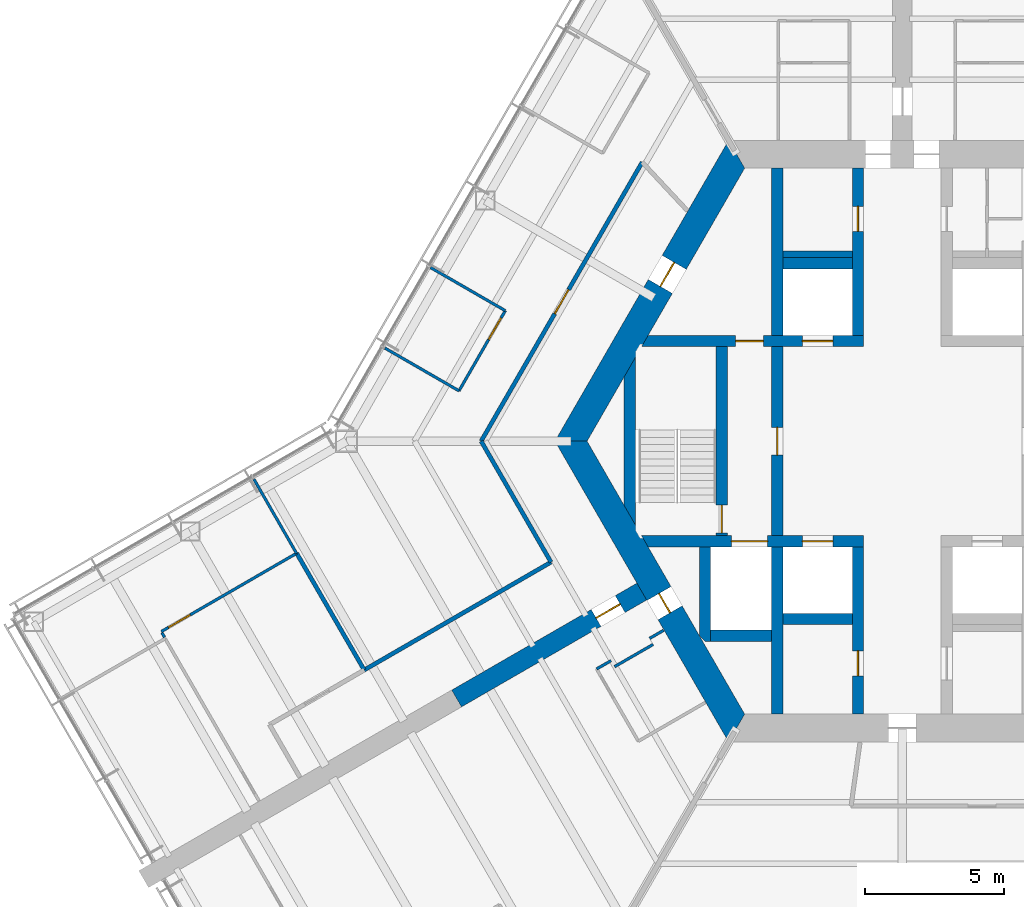
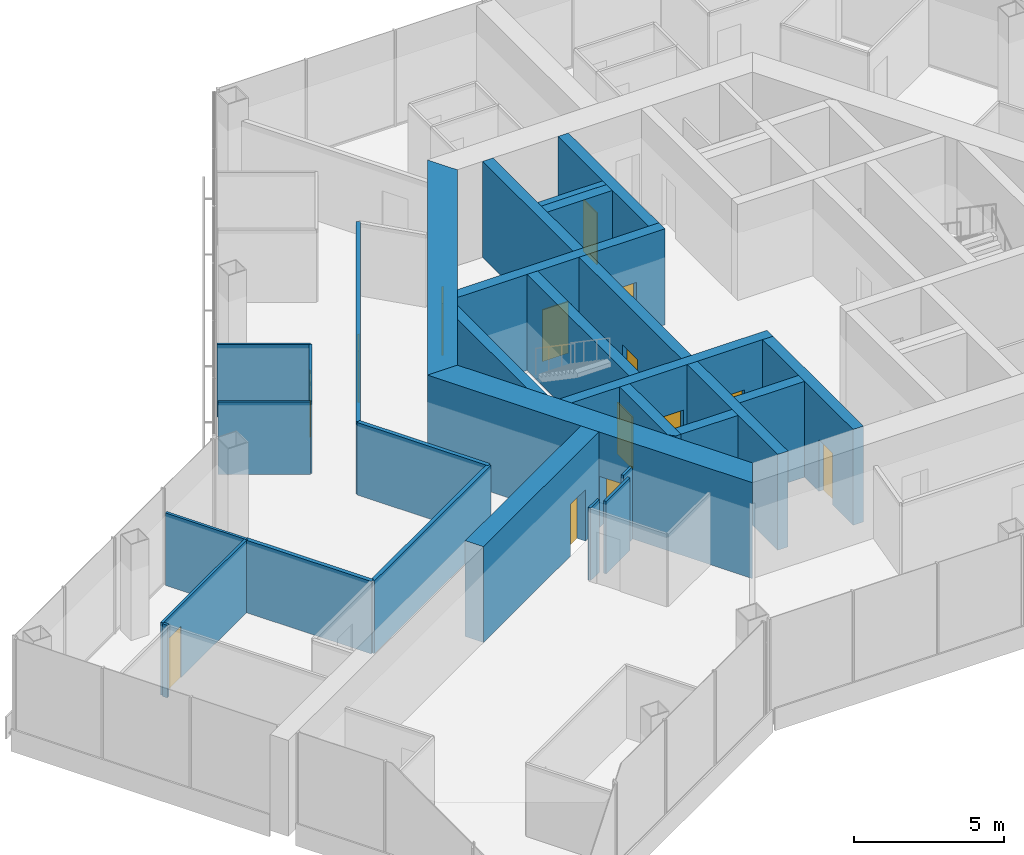
# One storey, part 12 of 18: 30 walls, 14 doors, 14 openings.
"""IFC4 building model written with IfcOpenShell, lengths in metres."""

from ifc_helpers import new_model, si_unit, direction, frame, frame_2d, origin, place, context, subcontext, project, spatial, polyline, rectangle, outline, extrude, material, layer, layer_set, type_object, element, fill, save


model = new_model("IFC4")

# Units and contexts
model_context = context("Model", 3, precision=1e-05, world=origin(), true_north=direction((0.0, 1.0)))
body_context = subcontext(model_context, "Body", "Model", "MODEL_VIEW")
ifc_project = project(units=[si_unit("LENGTHUNIT", "METRE"), si_unit("AREAUNIT", "SQUARE_METRE"), si_unit("VOLUMEUNIT", "CUBIC_METRE"), si_unit("PLANEANGLEUNIT", "RADIAN"), si_unit("MASSUNIT", "GRAM", prefix="KILO")], contexts=[model_context])

# Site, building, storey
site_placement = place(None, origin())
site = spatial("IfcSite", under=ifc_project, at=site_placement, CompositionType="ELEMENT")
building_placement = place(site_placement, origin())
building = spatial("IfcBuilding", under=site, at=building_placement, Name="Kasaneha Research Tower", CompositionType="ELEMENT")
storey_placement = place(building_placement, frame((0.0, 0.0, 152.60009765625)))
storey = spatial("IfcBuildingStorey", under=building, at=storey_placement, Name="L38", CompositionType="ELEMENT", Elevation=152.60009765625)

# Wall, openings, doors
ifc_material_1 = material(Name="Concrete Fc70", Category="concrete")
ifc_layer_1 = layer(ifc_material_1, 0.39990234375)
ifc_layer_set_1 = layer_set([ifc_layer_1], Name="Core internal wall 400 Fc70")
wall_type_1 = type_object("IfcWallType", Name="Core internal wall 400 Fc70", PredefinedType="SHEAR", material=ifc_layer_set_1)
wall_1_placement = place(storey_placement, frame((-9.266357421875, 3.60009765625, 0.0), z_axis=(0.0, 0.0, 1.0), x_axis=(1.0, 0.0, 0.0)))
wall_1 = element("IfcWall", 1, at=wall_1_placement, inside=storey, type_object=wall_type_1, Name="Core wall W1W L38", PredefinedType="SHEAR", context=body_context, shape_type="SweptSolid", body=[
    extrude(outline(polyline([(-0.115478515625, -0.199951171875), (3.266357421875, -0.199951171875), (4.266357421875, -0.199951171875), (5.66650390625, -0.199951171875), (6.7666015625, -0.199951171875), (7.866455078125, -0.199951171875), (7.866455078125, 0.199951171875), (6.7666015625, 0.199951171875), (5.66650390625, 0.199951171875), (4.266357421875, 0.199951171875), (3.266357421875, 0.199951171875), (0.115478515625, 0.199951171875), (-0.115478515625, -0.199951171875)])), origin(), (0.0, 0.0, 1.0), 3.89990234375),
])
opening_1_placement = place(wall_1_placement, frame((3.266357421875, 0.0, 0.0)))
opening_1 = element("IfcOpeningElement", 2, at=opening_1_placement, cuts=wall_1, Name="Opening L38-D12", PredefinedType="OPENING", context=body_context, shape_type="SweptSolid", body=[
    extrude(rectangle(XDim=1.0, YDim=2.10009765625, at=frame_2d((0.5, 1.050048828125))), frame((0.0, 0.2099609375, 0.0), z_axis=(0.0, -1.0, 0.0), x_axis=(1.0, 0.0, 0.0)), (0.0, 0.0, 1.0), 0.419921875),
])
opening_2_placement = place(wall_1_placement, frame((5.66650390625, 0.0, 0.0)))
opening_2 = element("IfcOpeningElement", 3, at=opening_2_placement, cuts=wall_1, Name="Opening LD-LM1-L38", PredefinedType="OPENING", context=body_context, shape_type="SweptSolid", body=[
    extrude(rectangle(XDim=1.10009765625, YDim=2.10009765625, at=frame_2d((0.550048828125, 1.050048828125))), frame((0.0, 0.2099609375, 0.0), z_axis=(0.0, -1.0, 0.0), x_axis=(1.0, 0.0, 0.0)), (0.0, 0.0, 1.0), 0.419921875),
])
ifc_material_2 = material(Name="Steel", Category="steel")
door_type_1 = type_object("IfcDoorType", Name="Lift landing door 1100x2100", OperationType="DOUBLE_DOOR_SLIDING", PredefinedType="DOOR", material=ifc_material_2)
door_1_placement = place(opening_2_placement, origin())
door_1 = element("IfcDoor", 4, at=door_1_placement, inside=storey, type_object=door_type_1, Name="Landing door LM1 LD-LM1-L38", OperationType="DOUBLE_DOOR_SLIDING", OverallHeight=2.10009765625, OverallWidth=1.10009765625, PredefinedType="DOOR", context=body_context, shape_type="SweptSolid", body=[
    extrude(rectangle(XDim=1.10009765625, YDim=2.10009765625, at=frame_2d((0.550048828125, 1.050048828125))), frame((0.0, 0.02490234375, 0.0), z_axis=(0.0, -1.0, 0.0), x_axis=(1.0, 0.0, 0.0)), (0.0, 0.0, 1.0), 0.050048828125),
])
fill(opening_2, door_1)
ifc_material_3 = material(Name="Steel", Category="steel")
door_type_2 = type_object("IfcDoorType", Name="Specified fire door FD60 1000x2100", OperationType="NOTDEFINED", PredefinedType="DOOR", material=ifc_material_3)
door_2_placement = place(opening_1_placement, origin())
door_2 = element("IfcDoor", 5, at=door_2_placement, inside=storey, type_object=door_type_2, Name="Vestibule to lobby door L38-D12", OperationType="SINGLE_SWING_LEFT", OverallHeight=2.10009765625, OverallWidth=1.0, PredefinedType="DOOR", context=body_context, shape_type="SweptSolid", body=[
    extrude(rectangle(XDim=1.0, YDim=2.10009765625, at=frame_2d((0.5, 1.050048828125))), frame((0.0, 0.02490234375, 0.0), z_axis=(0.0, -1.0, 0.0), x_axis=(1.0, 0.0, 0.0)), (0.0, 0.0, 1.0), 0.050048828125),
])
fill(opening_1, door_2)

wall_2_placement = place(storey_placement, frame((-9.266357421875, -3.60009765625, 0.0), z_axis=(0.0, 0.0, 1.0), x_axis=(1.0, 0.0, 0.0)))
wall_2 = element("IfcWall", 6, at=wall_2_placement, inside=storey, type_object=wall_type_1, Name="Core wall W2W L38", PredefinedType="SHEAR", context=body_context, shape_type="SweptSolid", body=[
    extrude(outline(polyline([(0.115478515625, -0.199951171875), (3.116455078125, -0.199951171875), (4.41650390625, -0.199951171875), (5.66650390625, -0.199951171875), (6.7666015625, -0.199951171875), (7.866455078125, -0.199951171875), (7.866455078125, 0.199951171875), (6.7666015625, 0.199951171875), (5.66650390625, 0.199951171875), (4.41650390625, 0.199951171875), (3.116455078125, 0.199951171875), (-0.115478515625, 0.199951171875), (0.115478515625, -0.199951171875)])), origin(), (0.0, 0.0, 1.0), 3.89990234375),
])
opening_3_placement = place(wall_2_placement, frame((5.66650390625, 0.0, 0.0)))
opening_3 = element("IfcOpeningElement", 7, at=opening_3_placement, cuts=wall_2, Name="Opening LD-LM3-L38", PredefinedType="OPENING", context=body_context, shape_type="SweptSolid", body=[
    extrude(rectangle(XDim=1.10009765625, YDim=2.10009765625, at=frame_2d((0.550048828125, 1.050048828125))), frame((0.0, 0.2099609375, 0.0), z_axis=(0.0, -1.0, 0.0), x_axis=(1.0, 0.0, 0.0)), (0.0, 0.0, 1.0), 0.419921875),
])
opening_4_placement = place(wall_2_placement, frame((3.116455078125, 0.0, 0.0)))
opening_4 = element("IfcOpeningElement", 8, at=opening_4_placement, cuts=wall_2, Name="Opening LD-FL2-L38", PredefinedType="OPENING", context=body_context, shape_type="SweptSolid", body=[
    extrude(rectangle(XDim=1.300048828125, YDim=2.10009765625, at=frame_2d((0.64990234375, 1.050048828125))), frame((0.0, 0.2099609375, 0.0), z_axis=(0.0, -1.0, 0.0), x_axis=(1.0, 0.0, 0.0)), (0.0, 0.0, 1.0), 0.419921875),
])
door_3_placement = place(opening_3_placement, origin())
door_3 = element("IfcDoor", 9, at=door_3_placement, inside=storey, type_object=door_type_1, Name="Landing door LM3 LD-LM3-L38", OperationType="DOUBLE_DOOR_SLIDING", OverallHeight=2.10009765625, OverallWidth=1.10009765625, PredefinedType="DOOR", context=body_context, shape_type="SweptSolid", body=[
    extrude(rectangle(XDim=1.10009765625, YDim=2.10009765625, at=frame_2d((0.550048828125, 1.050048828125))), frame((0.0, 0.02490234375, 0.0), z_axis=(0.0, -1.0, 0.0), x_axis=(1.0, 0.0, 0.0)), (0.0, 0.0, 1.0), 0.050048828125),
])
fill(opening_3, door_3)
ifc_material_4 = material(Name="Steel", Category="steel")
door_type_3 = type_object("IfcDoorType", Name="Lift landing door 1300x2100", OperationType="DOUBLE_DOOR_SLIDING", PredefinedType="DOOR", material=ifc_material_4)
door_4_placement = place(opening_4_placement, origin())
door_4 = element("IfcDoor", 10, at=door_4_placement, inside=storey, type_object=door_type_3, Name="Landing door FL2 LD-FL2-L38", OperationType="DOUBLE_DOOR_SLIDING", OverallHeight=2.10009765625, OverallWidth=1.300048828125, PredefinedType="DOOR", context=body_context, shape_type="SweptSolid", body=[
    extrude(rectangle(XDim=1.300048828125, YDim=2.10009765625, at=frame_2d((0.64990234375, 1.050048828125))), frame((0.0, 0.02490234375, 0.0), z_axis=(0.0, -1.0, 0.0), x_axis=(1.0, 0.0, 0.0)), (0.0, 0.0, 1.0), 0.050048828125),
])
fill(opening_4, door_4)

# Wall, opening, door
wall_3_placement = place(storey_placement, frame((-1.60009765625, 3.800048828125, 0.0), z_axis=(0.0, 0.0, 1.0), x_axis=(0.0, 1.0, 0.0)))
wall_3 = element("IfcWall", 11, at=wall_3_placement, inside=storey, type_object=wall_type_1, Name="Core wall CNW L38", PredefinedType="SHEAR", context=body_context, shape_type="SweptSolid", body=[
    extrude(rectangle(XDim=6.02490234375, YDim=0.39990234375, at=frame_2d((3.012451171875, 0.0))), origin(), (0.0, 0.0, 1.0), 3.89990234375),
])
opening_5_placement = place(wall_3_placement, frame((3.75, 0.0, 0.0)))
opening_5 = element("IfcOpeningElement", 12, at=opening_5_placement, cuts=wall_3, Name="Opening L38-D13", PredefinedType="OPENING", context=body_context, shape_type="SweptSolid", body=[
    extrude(rectangle(XDim=0.89990234375, YDim=2.10009765625, at=frame_2d((0.449951171875, 1.050048828125))), frame((0.0, 0.2099609375, 0.0), z_axis=(0.0, -1.0, 0.0), x_axis=(1.0, 0.0, 0.0)), (0.0, 0.0, 1.0), 0.419921875),
])
ifc_material_5 = material(Name="Steel", Category="steel")
door_type_4 = type_object("IfcDoorType", Name="Toilet door FD20 900x2100", OperationType="NOTDEFINED", PredefinedType="DOOR", material=ifc_material_5)
door_5_placement = place(opening_5_placement, origin())
door_5 = element("IfcDoor", 13, at=door_5_placement, inside=storey, type_object=door_type_4, Name="Men's WC door L38-D13", OperationType="SINGLE_SWING_LEFT", OverallHeight=2.10009765625, OverallWidth=0.89990234375, PredefinedType="DOOR", context=body_context, shape_type="SweptSolid", body=[
    extrude(rectangle(XDim=0.89990234375, YDim=2.10009765625, at=frame_2d((0.449951171875, 1.050048828125))), frame((0.0, 0.02490234375, 0.0), z_axis=(0.0, -1.0, 0.0), x_axis=(1.0, 0.0, 0.0)), (0.0, 0.0, 1.0), 0.050048828125),
])
fill(opening_5, door_5)

wall_4_placement = place(storey_placement, frame((-1.60009765625, -3.800048828125, 0.0), z_axis=(0.0, 0.0, 1.0), x_axis=(0.0, -1.0, 0.0)))
wall_4 = element("IfcWall", 14, at=wall_4_placement, inside=storey, type_object=wall_type_1, Name="Core wall CSW L38", PredefinedType="SHEAR", context=body_context, shape_type="SweptSolid", body=[
    extrude(rectangle(XDim=6.02490234375, YDim=0.39990234375, at=frame_2d((3.012451171875, 0.0))), origin(), (0.0, 0.0, 1.0), 3.89990234375),
])
opening_6_placement = place(wall_4_placement, frame((3.75, 0.0, 0.0)))
opening_6 = element("IfcOpeningElement", 15, at=opening_6_placement, cuts=wall_4, Name="Opening L38-D16", PredefinedType="OPENING", context=body_context, shape_type="SweptSolid", body=[
    extrude(rectangle(XDim=0.89990234375, YDim=2.10009765625, at=frame_2d((0.449951171875, 1.050048828125))), frame((0.0, 0.2099609375, 0.0), z_axis=(0.0, -1.0, 0.0), x_axis=(1.0, 0.0, 0.0)), (0.0, 0.0, 1.0), 0.419921875),
])
ifc_material_6 = material(Name="Steel", Category="steel")
door_type_5 = type_object("IfcDoorType", Name="Riser access door FD60 900x2100", OperationType="NOTDEFINED", PredefinedType="DOOR", material=ifc_material_6)
door_6_placement = place(opening_6_placement, origin())
door_6 = element("IfcDoor", 16, at=door_6_placement, inside=storey, type_object=door_type_5, Name="Electrical riser door L38-D16", OperationType="SINGLE_SWING_LEFT", OverallHeight=2.10009765625, OverallWidth=0.89990234375, PredefinedType="DOOR", context=body_context, shape_type="SweptSolid", body=[
    extrude(rectangle(XDim=0.89990234375, YDim=2.10009765625, at=frame_2d((0.449951171875, 1.050048828125))), frame((0.0, 0.02490234375, 0.0), z_axis=(0.0, -1.0, 0.0), x_axis=(1.0, 0.0, 0.0)), (0.0, 0.0, 1.0), 0.050048828125),
])
fill(opening_6, door_6)

wall_5_placement = place(storey_placement, frame((-4.5, -3.39990234375, 0.0), z_axis=(0.0, 0.0, 1.0), x_axis=(0.0, 1.0, 0.0)))
wall_5 = element("IfcWall", 17, at=wall_5_placement, inside=storey, type_object=wall_type_1, Name="Core wall LBW L38", PredefinedType="SHEAR", context=body_context, shape_type="SweptSolid", body=[
    extrude(rectangle(XDim=6.7998046875, YDim=0.39990234375, at=frame_2d((3.39990234375, 0.0))), origin(), (0.0, 0.0, 1.0), 3.89990234375),
])
opening_7_placement = place(wall_5_placement, frame((2.89990234375, 0.0, 0.0)))
opening_7 = element("IfcOpeningElement", 18, at=opening_7_placement, cuts=wall_5, Name="Opening L38-D09", PredefinedType="OPENING", context=body_context, shape_type="SweptSolid", body=[
    extrude(rectangle(XDim=1.0, YDim=2.10009765625, at=frame_2d((0.5, 1.050048828125))), frame((0.0, 0.2099609375, 0.0), z_axis=(0.0, -1.0, 0.0), x_axis=(1.0, 0.0, 0.0)), (0.0, 0.0, 1.0), 0.419921875),
])
door_7_placement = place(opening_7_placement, origin())
door_7 = element("IfcDoor", 19, at=door_7_placement, inside=storey, type_object=door_type_2, Name="Lift lobby door west L38-D09", OperationType="SINGLE_SWING_LEFT", OverallHeight=2.10009765625, OverallWidth=1.0, PredefinedType="DOOR", context=body_context, shape_type="SweptSolid", body=[
    extrude(rectangle(XDim=1.0, YDim=2.10009765625, at=frame_2d((0.5, 1.050048828125))), frame((0.0, 0.02490234375, 0.0), z_axis=(0.0, -1.0, 0.0), x_axis=(1.0, 0.0, 0.0)), (0.0, 0.0, 1.0), 0.050048828125),
])
fill(opening_7, door_7)

wall_6_placement = place(storey_placement, frame((-6.5, -3.39990234375, 0.0), z_axis=(0.0, 0.0, 1.0), x_axis=(0.0, 1.0, 0.0)))
wall_6 = element("IfcWall", 20, at=wall_6_placement, inside=storey, type_object=wall_type_1, Name="Core wall ANW L38", PredefinedType="SHEAR", context=body_context, shape_type="SweptSolid", body=[
    extrude(rectangle(XDim=6.7998046875, YDim=0.39990234375, at=frame_2d((3.39990234375, 0.0))), origin(), (0.0, 0.0, 1.0), 3.89990234375),
])
opening_8_placement = place(wall_6_placement, frame((0.10009765625, 0.0, 0.0)))
opening_8 = element("IfcOpeningElement", 21, at=opening_8_placement, cuts=wall_6, Name="Opening L38-D11", PredefinedType="OPENING", context=body_context, shape_type="SweptSolid", body=[
    extrude(rectangle(XDim=1.0, YDim=2.10009765625, at=frame_2d((0.5, 1.050048828125))), frame((0.0, 0.2099609375, 0.0), z_axis=(0.0, -1.0, 0.0), x_axis=(1.0, 0.0, 0.0)), (0.0, 0.0, 1.0), 0.419921875),
])
door_8_placement = place(opening_8_placement, origin())
door_8 = element("IfcDoor", 22, at=door_8_placement, inside=storey, type_object=door_type_2, Name="Stair 2 door L38-D11", OperationType="SINGLE_SWING_LEFT", OverallHeight=2.10009765625, OverallWidth=1.0, PredefinedType="DOOR", context=body_context, shape_type="SweptSolid", body=[
    extrude(rectangle(XDim=1.0, YDim=2.10009765625, at=frame_2d((0.5, 1.050048828125))), frame((0.0, 0.02490234375, 0.0), z_axis=(0.0, -1.0, 0.0), x_axis=(1.0, 0.0, 0.0)), (0.0, 0.0, 1.0), 0.050048828125),
])
fill(opening_8, door_8)

# Walls
for number, where, z_axis, x_axis, name in (
    (23, (-4.5, 3.800048828125, 0.0), (0.0, 0.0, 1.0), (0.0, 1.0, 0.0), "Core wall VNW L38"),
    (24, (-4.5, -3.800048828125, 0.0), (0.0, 0.0, 1.0), (0.0, -1.0, 0.0), "Core wall SSW L38"),
):
    element("IfcWall", number, at=place(storey_placement, frame(where, z_axis=z_axis, x_axis=x_axis)), inside=storey, type_object=wall_type_1, Name=name, PredefinedType="SHEAR", context=body_context, shape_type="SweptSolid", body=[
        extrude(rectangle(XDim=6.02490234375, YDim=0.39990234375, at=frame_2d((3.012451171875, 0.0))), origin(), (0.0, 0.0, 1.0), 3.89990234375),
    ])
for number, where, z_axis, x_axis, name in (
    (25, (-4.300048828125, 6.39990234375, 0.0), (0.0, 0.0, 1.0), (1.0, 0.0, 0.0), "Core wall N1N L38"),
    (26, (-4.300048828125, -6.39990234375, 0.0), (0.0, 0.0, 1.0), (1.0, 0.0, 0.0), "Core wall S1S L38"),
):
    element("IfcWall", number, at=place(storey_placement, frame(where, z_axis=z_axis, x_axis=x_axis)), inside=storey, type_object=wall_type_1, Name=name, PredefinedType="SHEAR", context=body_context, shape_type="SweptSolid", body=[
        extrude(rectangle(XDim=2.5, YDim=0.39990234375, at=frame_2d((1.25, 0.0))), origin(), (0.0, 0.0, 1.0), 3.89990234375),
    ])
wall_7_placement = place(storey_placement, frame((-6.89990234375, -7.0, 0.0), z_axis=(0.0, 0.0, 1.0), x_axis=(1.0, 0.0, 0.0)))
element("IfcWall", 27, at=wall_7_placement, inside=storey, type_object=wall_type_1, Name="Core wall F2S L38", PredefinedType="SHEAR", context=body_context, shape_type="SweptSolid", body=[
    extrude(rectangle(XDim=2.199951171875, YDim=0.39990234375, at=frame_2d((1.10009765625, 0.0))), origin(), (0.0, 0.0, 1.0), 3.89990234375),
])
wall_8_placement = place(storey_placement, frame((-7.10009765625, -3.800048828125, 0.0), z_axis=(0.0, 0.0, 1.0), x_axis=(0.0, -1.0, 0.0)))
element("IfcWall", 28, at=wall_8_placement, inside=storey, type_object=wall_type_1, Name="Core wall F2W L38", PredefinedType="SHEAR", context=body_context, shape_type="SweptSolid", body=[
    extrude(outline(polyline([(0.0, -0.199951171875), (3.205810546875, -0.199951171875), (3.39990234375, 0.0), (3.39990234375, 0.199951171875), (0.0, 0.199951171875), (0.0, -0.199951171875)])), origin(), (0.0, 0.0, 1.0), 3.89990234375),
])
wall_9_placement = place(storey_placement, frame((-9.807861328125, -2.662353515625, 0.0), z_axis=(0.0, 0.0, 1.0), x_axis=(0.0, 1.0, 0.0)))
element("IfcWall", 29, at=wall_9_placement, inside=storey, type_object=wall_type_1, Name="Core wall STW L38", PredefinedType="SHEAR", context=body_context, shape_type="SweptSolid", body=[
    extrude(outline(polyline([(-0.346435546875, -0.199951171875), (5.671142578125, -0.199951171875), (4.978271484375, 0.199951171875), (0.346435546875, 0.199951171875), (-0.346435546875, -0.199951171875)])), origin(), (0.0, 0.0, 1.0), 3.89990234375),
])

# Wall, opening, door
ifc_material_7 = material(Name="Concrete Fc70", Category="concrete")
ifc_layer_2 = layer(ifc_material_7, 1.0)
ifc_layer_set_2 = layer_set([ifc_layer_2], Name="Core wall 1000 Fc70")
wall_type_2 = type_object("IfcWallType", Name="Core wall 1000 Fc70", PredefinedType="SHEAR", material=ifc_layer_set_2)
wall_10_placement = place(storey_placement, frame((-5.961181640625, 10.324951171875, 0.0), z_axis=(0.0, 0.0, 1.0), x_axis=(-0.500004296715, -0.866022923061, 0.0)))
wall_10 = element("IfcWall", 30, at=wall_10_placement, inside=storey, type_object=wall_type_2, Name="Core wall 150 L38", PredefinedType="SHEAR", context=body_context, shape_type="SweptSolid", body=[
    extrude(outline(polyline([(-0.28857421875, -0.5), (4.494140625, -0.5), (5.494140625, -0.5), (12.2109375, -0.5), (11.6337890625, 0.5), (5.494140625, 0.5), (4.494140625, 0.5), (0.28857421875, 0.5), (-0.28857421875, -0.5)])), origin(), (0.0, 0.0, 1.0), 3.89990234375),
])
opening_9_placement = place(wall_10_placement, frame((4.494140625, 0.0, 0.0)))
opening_9 = element("IfcOpeningElement", 31, at=opening_9_placement, cuts=wall_10, Name="Opening L38-D07", PredefinedType="OPENING", context=body_context, shape_type="SweptSolid", body=[
    extrude(rectangle(XDim=1.0, YDim=2.10009765625, at=frame_2d((0.5, 1.050048828125))), frame((0.0, 0.510009765625, 0.0), z_axis=(0.0, -1.0, 0.0), x_axis=(1.0, 0.0, 0.0)), (0.0, 0.0, 1.0), 1.02001953125),
])
ifc_material_8 = material(Name="Steel", Category="steel")
door_type_6 = type_object("IfcDoorType", Name="Fire door FD20 1000x2100", OperationType="NOTDEFINED", PredefinedType="DOOR", material=ifc_material_8)
door_9_placement = place(opening_9_placement, origin())
door_9 = element("IfcDoor", 32, at=door_9_placement, inside=storey, type_object=door_type_6, Name="Vestibule door L38-D07", OperationType="SINGLE_SWING_LEFT", OverallHeight=2.10009765625, OverallWidth=1.0, PredefinedType="DOOR", context=body_context, shape_type="SweptSolid", body=[
    extrude(rectangle(XDim=1.0, YDim=2.10009765625, at=frame_2d((0.5, 1.050048828125))), frame((0.0, 0.02490234375, 0.0), z_axis=(0.0, -1.0, 0.0), x_axis=(1.0, 0.0, 0.0)), (0.0, 0.0, 1.0), 0.050048828125),
])
fill(opening_9, door_9)

wall_11_placement = place(storey_placement, frame((-11.92236328125, 0.0, 0.0), z_axis=(0.0, 0.0, 1.0), x_axis=(0.500004296715, -0.866022923061, 0.0)))
wall_11 = element("IfcWall", 33, at=wall_11_placement, inside=storey, type_object=wall_type_2, Name="Core wall 210 L38", PredefinedType="SHEAR", context=body_context, shape_type="SweptSolid", body=[
    extrude(outline(polyline([(-0.28857421875, -0.5), (6.3310546875, -0.5), (7.131103515625, -0.5), (12.2109375, -0.5), (11.6337890625, 0.5), (7.131103515625, 0.5), (6.3310546875, 0.5), (0.28857421875, 0.5), (-0.28857421875, -0.5)])), origin(), (0.0, 0.0, 1.0), 3.89990234375),
])
opening_10_placement = place(wall_11_placement, frame((6.3310546875, 0.0, 0.0)))
opening_10 = element("IfcOpeningElement", 34, at=opening_10_placement, cuts=wall_11, Name="Opening L38-D06", PredefinedType="OPENING", context=body_context, shape_type="SweptSolid", body=[
    extrude(rectangle(XDim=0.800048828125, YDim=2.10009765625, at=frame_2d((0.39990234375, 1.050048828125))), frame((0.0, 0.510009765625, 0.0), z_axis=(0.0, -1.0, 0.0), x_axis=(1.0, 0.0, 0.0)), (0.0, 0.0, 1.0), 1.02001953125),
])
ifc_material_9 = material(Name="Steel", Category="steel")
door_type_7 = type_object("IfcDoorType", Name="Riser access door FD60 800x2100", OperationType="NOTDEFINED", PredefinedType="DOOR", material=ifc_material_9)
door_10_placement = place(opening_10_placement, origin())
door_10 = element("IfcDoor", 35, at=door_10_placement, inside=storey, type_object=door_type_7, Name="Duct riser door L38-D06", OperationType="SINGLE_SWING_RIGHT", OverallHeight=2.10009765625, OverallWidth=0.800048828125, PredefinedType="DOOR", context=body_context, shape_type="SweptSolid", body=[
    extrude(rectangle(XDim=0.800048828125, YDim=2.10009765625, at=frame_2d((0.39990234375, 1.050048828125))), frame((0.0, 0.02490234375, 0.0), z_axis=(0.0, -1.0, 0.0), x_axis=(1.0, 0.0, 0.0)), (0.0, 0.0, 1.0), 0.050048828125),
])
fill(opening_10, door_10)

# Walls
ifc_material_10 = material(Name="Gypsum board on steel studs, one layer each side", Category="steel")
ifc_layer_3 = layer(ifc_material_10, 0.10009765625)
ifc_layer_set_3 = layer_set([ifc_layer_3], Name="Office partition 100")
wall_type_3 = type_object("IfcWallType", Name="Office partition 100", PredefinedType="PARTITIONING", material=ifc_layer_set_3)
wall_12_placement = place(storey_placement, frame((-16.97607421875, 6.247802734375, 0.0), z_axis=(0.0, 0.0, 1.0), x_axis=(0.866023220135, -0.500003782172, 0.0)))
element("IfcWall", 36, at=wall_12_placement, inside=storey, type_object=wall_type_3, Name="Office partition FBN12 L38", PredefinedType="PARTITIONING", context=body_context, shape_type="SweptSolid", body=[
    extrude(rectangle(XDim=3.10498046875, YDim=0.10009765625, at=frame_2d((1.552490234375, 0.0))), origin(), (0.0, 0.0, 1.0), 2.949951171875),
])
wall_13_placement = place(storey_placement, frame((-15.952392578125, 1.810546875, 0.0), z_axis=(0.0, 0.0, 1.0), x_axis=(-0.866029832698, 0.499992328818, 0.0)))
element("IfcWall", 37, at=wall_13_placement, inside=storey, type_object=wall_type_3, Name="Office partition FBN13 L38", PredefinedType="PARTITIONING", context=body_context, shape_type="SweptSolid", body=[
    extrude(rectangle(XDim=3.080078125, YDim=0.10009765625, at=frame_2d((1.5400390625, 0.0))), origin(), (0.0, 0.0, 1.0), 2.949951171875),
])

# Wall, opening, door
wall_14_placement = place(storey_placement, frame((-14.287109375, 4.6953125, 0.0), z_axis=(0.0, 0.0, 1.0), x_axis=(-0.499946633866, -0.866056212544, 0.0)))
wall_14 = element("IfcWall", 38, at=wall_14_placement, inside=storey, type_object=wall_type_3, Name="Office partition FBN14 L38", PredefinedType="PARTITIONING", context=body_context, shape_type="SweptSolid", body=[
    extrude(rectangle(XDim=3.330810546875, YDim=0.10009765625, at=frame_2d((1.66552734375, 0.0))), origin(), (0.0, 0.0, 1.0), 2.949951171875),
])
opening_11_placement = place(wall_14_placement, frame((0.300048828125, 0.0, 0.0)))
opening_11 = element("IfcOpeningElement", 39, at=opening_11_placement, cuts=wall_14, Name="Opening L38-D38", PredefinedType="OPENING", context=body_context, shape_type="SweptSolid", body=[
    extrude(rectangle(XDim=0.89990234375, YDim=2.10009765625, at=frame_2d((0.449951171875, 1.050048828125))), frame((0.0, 0.06005859375, 0.0), z_axis=(0.0, -1.0, 0.0), x_axis=(1.0, 0.0, 0.0)), (0.0, 0.0, 1.0), 0.1201171875),
])
ifc_material_11 = material(Name="Timber veneer", Category="wood")
door_type_8 = type_object("IfcDoorType", Name="Office door 900x2100", OperationType="SINGLE_SWING_LEFT", PredefinedType="DOOR", material=ifc_material_11)
door_11_placement = place(opening_11_placement, origin())
door_11 = element("IfcDoor", 40, at=door_11_placement, inside=storey, type_object=door_type_8, Name="Workroom door L38-D38", OperationType="SINGLE_SWING_LEFT", OverallHeight=2.10009765625, OverallWidth=0.89990234375, PredefinedType="DOOR", context=body_context, shape_type="SweptSolid", body=[
    extrude(rectangle(XDim=0.89990234375, YDim=2.10009765625, at=frame_2d((0.449951171875, 1.050048828125))), frame((0.0, 0.02490234375, 0.0), z_axis=(0.0, -1.0, 0.0), x_axis=(1.0, 0.0, 0.0)), (0.0, 0.0, 1.0), 0.050048828125),
])
fill(opening_11, door_11)

# Wall
wall_15_placement = place(storey_placement, frame((-23.332275390625, -1.36962890625, 0.0), z_axis=(0.0, 0.0, 1.0), x_axis=(0.498722739085, -0.866761575937, 0.0)))
element("IfcWall", 41, at=wall_15_placement, inside=storey, type_object=wall_type_3, Name="Office partition FBN15 L38", PredefinedType="PARTITIONING", context=body_context, shape_type="SweptSolid", body=[
    extrude(rectangle(XDim=3.08056640625, YDim=0.10009765625, at=frame_2d((1.540283203125, 0.0))), origin(), (0.0, 0.0, 1.0), 2.949951171875),
])

# Wall, opening, door
wall_16_placement = place(storey_placement, frame((-21.793701171875, -4.033203125, 0.0), z_axis=(0.0, 0.0, 1.0), x_axis=(-0.865577688484, -0.500774665092, 0.0)))
wall_16 = element("IfcWall", 42, at=wall_16_placement, inside=storey, type_object=wall_type_3, Name="Office partition FBN16 L38", PredefinedType="PARTITIONING", context=body_context, shape_type="SweptSolid", body=[
    extrude(rectangle(XDim=5.62890625, YDim=0.10009765625, at=frame_2d((2.814453125, 0.0))), origin(), (0.0, 0.0, 1.0), 2.949951171875),
])
opening_12_placement = place(wall_16_placement, frame((4.428955078125, 0.0, 0.0)))
opening_12 = element("IfcOpeningElement", 43, at=opening_12_placement, cuts=wall_16, Name="Opening L38-D39", PredefinedType="OPENING", context=body_context, shape_type="SweptSolid", body=[
    extrude(rectangle(XDim=0.89990234375, YDim=2.10009765625, at=frame_2d((0.449951171875, 1.050048828125))), frame((0.0, 0.06005859375, 0.0), z_axis=(0.0, -1.0, 0.0), x_axis=(1.0, 0.0, 0.0)), (0.0, 0.0, 1.0), 0.1201171875),
])
door_12_placement = place(opening_12_placement, origin())
door_12 = element("IfcDoor", 44, at=door_12_placement, inside=storey, type_object=door_type_8, Name="Project room door L38-D39", OperationType="SINGLE_SWING_RIGHT", OverallHeight=2.10009765625, OverallWidth=0.89990234375, PredefinedType="DOOR", context=body_context, shape_type="SweptSolid", body=[
    extrude(rectangle(XDim=0.89990234375, YDim=2.10009765625, at=frame_2d((0.449951171875, 1.050048828125))), frame((0.0, 0.02490234375, 0.0), z_axis=(0.0, -1.0, 0.0), x_axis=(1.0, 0.0, 0.0)), (0.0, 0.0, 1.0), 0.050048828125),
])
fill(opening_12, door_12)

# Walls
wall_17_placement = place(storey_placement, frame((-10.99951171875, -8.197998046875, 0.0), z_axis=(0.0, 0.0, 1.0), x_axis=(0.866131372301, 0.499816412211, 0.0)))
element("IfcWall", 45, at=wall_17_placement, inside=storey, type_object=wall_type_3, Name="Office partition FBS01 L38", PredefinedType="PARTITIONING", context=body_context, shape_type="SweptSolid", body=[
    extrude(rectangle(XDim=0.599853515625, YDim=0.10009765625, at=frame_2d((0.2998046875, 0.0))), origin(), (0.0, 0.0, 1.0), 2.949951171875),
])
wall_18_placement = place(storey_placement, frame((-10.35498046875, -8.114501953125, 0.0), z_axis=(0.0, 0.0, 1.0), x_axis=(0.866094119867, 0.499880961361, 0.0)))
element("IfcWall", 46, at=wall_18_placement, inside=storey, type_object=wall_type_3, Name="Office partition FBS02 L38", PredefinedType="PARTITIONING", context=body_context, shape_type="SweptSolid", body=[
    extrude(rectangle(XDim=1.60009765625, YDim=0.10009765625, at=frame_2d((0.800048828125, 0.0))), origin(), (0.0, 0.0, 1.0), 2.949951171875),
])
wall_19_placement = place(storey_placement, frame((-9.09423828125, -7.09814453125, 0.0), z_axis=(0.0, 0.0, 1.0), x_axis=(0.865954211699, 0.50012328804, 0.0)))
element("IfcWall", 47, at=wall_19_placement, inside=storey, type_object=wall_type_3, Name="Office partition FBS04 L38", PredefinedType="PARTITIONING", context=body_context, shape_type="SweptSolid", body=[
    extrude(rectangle(XDim=0.579833984375, YDim=0.10009765625, at=frame_2d((0.2900390625, 0.0))), origin(), (0.0, 0.0, 1.0), 2.949951171875),
])
wall_20_placement = place(storey_placement, frame((-26.641357421875, -6.8955078125, 0.0), z_axis=(0.0, 0.0, 1.0), x_axis=(0.497958060315, -0.867201112872, 0.0)))
element("IfcWall", 48, at=wall_20_placement, inside=storey, type_object=wall_type_3, Name="Office partition closer PT5 L38", PredefinedType="PARTITIONING", context=body_context, shape_type="SweptSolid", body=[
    extrude(rectangle(XDim=0.187744140625, YDim=0.10009765625, at=frame_2d((0.09375, 0.0))), origin(), (0.0, 0.0, 1.0), 2.949951171875),
])

# Wall, opening, door
ifc_material_12 = material(Name="Concrete Fc70", Category="concrete")
ifc_layer_4 = layer(ifc_material_12, 0.699951171875)
ifc_layer_set_4 = layer_set([ifc_layer_4], Name="Spine wall 700 Fc70")
wall_type_4 = type_object("IfcWallType", Name="Spine wall 700 Fc70", PredefinedType="SHEAR", material=ifc_layer_set_4)
wall_21_placement = place(storey_placement, frame((-9.374755859375, -5.41259765625, 0.0), z_axis=(0.0, 0.0, 1.0), x_axis=(-0.866032377459, -0.499987921047, 0.0)))
wall_21 = element("IfcWall", 49, at=wall_21_placement, inside=storey, type_object=wall_type_4, Name="Spine wall B L38", PredefinedType="SHEAR", context=body_context, shape_type="SweptSolid", body=[
    extrude(rectangle(XDim=7.695556640625, YDim=0.699951171875, at=frame_2d((3.84765625, 0.0))), origin(), (0.0, 0.0, 1.0), 3.89990234375),
])
opening_13_placement = place(wall_21_placement, frame((0.89990234375, 0.0, 0.0)))
opening_13 = element("IfcOpeningElement", 50, at=opening_13_placement, cuts=wall_21, Name="Opening L38-D18", PredefinedType="OPENING", context=body_context, shape_type="SweptSolid", body=[
    extrude(rectangle(XDim=1.0, YDim=2.10009765625, at=frame_2d((0.5, 1.050048828125))), frame((0.0, 0.35986328125, 0.0), z_axis=(0.0, -1.0, 0.0), x_axis=(1.0, 0.0, 0.0)), (0.0, 0.0, 1.0), 0.719970703125),
])
door_13_placement = place(opening_13_placement, origin())
door_13 = element("IfcDoor", 51, at=door_13_placement, inside=storey, type_object=door_type_2, Name="Spine doorway B L38-D18", OperationType="SINGLE_SWING_LEFT", OverallHeight=2.10009765625, OverallWidth=1.0, PredefinedType="DOOR", context=body_context, shape_type="SweptSolid", body=[
    extrude(rectangle(XDim=1.0, YDim=2.10009765625, at=frame_2d((0.5, 1.050048828125))), frame((0.0, 0.02490234375, 0.0), z_axis=(0.0, -1.0, 0.0), x_axis=(1.0, 0.0, 0.0)), (0.0, 0.0, 1.0), 0.050048828125),
])
fill(opening_13, door_13)

# Wall
ifc_material_13 = material(Name="Gypsum board on steel studs, two layers each side", Category="steel")
ifc_layer_5 = layer(ifc_material_13, 0.14990234375)
ifc_layer_set_5 = layer_set([ifc_layer_5], Name="Suite partition 150")
wall_type_5 = type_object("IfcWallType", Name="Suite partition 150", PredefinedType="PARTITIONING", material=ifc_layer_set_5)
wall_22_placement = place(storey_placement, frame((-19.37158203125, -8.23974609375, 0.0), z_axis=(0.0, 0.0, 1.0), x_axis=(0.866015031168, 0.500017965468, 0.0)))
element("IfcWall", 52, at=wall_22_placement, inside=storey, type_object=wall_type_5, Name="Suite partition FBN01 L38", PredefinedType="PARTITIONING", context=body_context, shape_type="SweptSolid", body=[
    extrude(rectangle(XDim=7.771240234375, YDim=0.14990234375, at=frame_2d((3.8857421875, 0.0))), origin(), (0.0, 0.0, 1.0), 2.949951171875),
])

# Wall, opening, door
wall_23_placement = place(storey_placement, frame((-15.155517578125, 0.0, 0.0), z_axis=(0.0, 0.0, 1.0), x_axis=(0.500012970505, 0.86601791513, 0.0)))
wall_23 = element("IfcWall", 53, at=wall_23_placement, inside=storey, type_object=wall_type_5, Name="Suite partition FBN02 L38", PredefinedType="PARTITIONING", context=body_context, shape_type="SweptSolid", body=[
    extrude(rectangle(XDim=11.590576171875, YDim=0.14990234375, at=frame_2d((5.79541015625, 0.0))), origin(), (0.0, 0.0, 1.0), 2.949951171875),
])
opening_14_placement = place(wall_23_placement, frame((5.295166015625, 0.0, 0.0)))
opening_14 = element("IfcOpeningElement", 54, at=opening_14_placement, cuts=wall_23, Name="Opening L38-D34", PredefinedType="OPENING", context=body_context, shape_type="SweptSolid", body=[
    extrude(rectangle(XDim=1.0, YDim=2.10009765625, at=frame_2d((0.5, 1.050048828125))), frame((0.0, 0.0849609375, 0.0), z_axis=(0.0, -1.0, 0.0), x_axis=(1.0, 0.0, 0.0)), (0.0, 0.0, 1.0), 0.169921875),
])
ifc_material_14 = material(Name="Steel", Category="steel")
door_type_9 = type_object("IfcDoorType", Name="Suite entrance door FD60 1000x2100", OperationType="NOTDEFINED", PredefinedType="DOOR", material=ifc_material_14)
door_14_placement = place(opening_14_placement, origin())
door_14 = element("IfcDoor", 55, at=door_14_placement, inside=storey, type_object=door_type_9, Name="Suite entrance door L38-D34", OperationType="SINGLE_SWING_RIGHT", OverallHeight=2.10009765625, OverallWidth=1.0, PredefinedType="DOOR", context=body_context, shape_type="SweptSolid", body=[
    extrude(rectangle(XDim=1.0, YDim=2.10009765625, at=frame_2d((0.5, 1.050048828125))), frame((0.0, 0.02490234375, 0.0), z_axis=(0.0, -1.0, 0.0), x_axis=(1.0, 0.0, 0.0)), (0.0, 0.0, 1.0), 0.050048828125),
])
fill(opening_14, door_14)

# Walls
wall_24_placement = place(storey_placement, frame((-12.6416015625, -4.35400390625, 0.0), z_axis=(0.0, 0.0, 1.0), x_axis=(-0.500019495363, 0.866014147839, 0.0)))
element("IfcWall", 56, at=wall_24_placement, inside=storey, type_object=wall_type_5, Name="Suite partition FBN03 L38", PredefinedType="PARTITIONING", context=body_context, shape_type="SweptSolid", body=[
    extrude(rectangle(XDim=5.027587890625, YDim=0.14990234375, at=frame_2d((2.513671875, 0.0))), origin(), (0.0, 0.0, 1.0), 2.949951171875),
])
wall_25_placement = place(storey_placement, frame((-19.363037109375, -8.234130859375, 0.0), z_axis=(0.0, 0.0, 1.0), x_axis=(-0.500871679372, 0.865521554211, 0.0)))
element("IfcWall", 57, at=wall_25_placement, inside=storey, type_object=wall_type_5, Name="Suite partition FBN17 L38", PredefinedType="PARTITIONING", context=body_context, shape_type="SweptSolid", body=[
    extrude(rectangle(XDim=4.853271484375, YDim=0.14990234375, at=frame_2d((2.4267578125, 0.0))), origin(), (0.0, 0.0, 1.0), 2.949951171875),
])
ifc_material_15 = material(Name="Concrete block lining", Category="concrete")
ifc_layer_6 = layer(ifc_material_15, 0.25)
ifc_layer_set_6 = layer_set([ifc_layer_6], Name="WC plumbing wall 250")
wall_type_6 = type_object("IfcWallType", Name="WC plumbing wall 250", PredefinedType="PLUMBINGWALL", material=ifc_layer_set_6)
wall_26_placement = place(storey_placement, frame((-4.300048828125, 6.72509765625, 0.0), z_axis=(0.0, 0.0, 1.0), x_axis=(1.0, 0.0, 0.0)))
element("IfcWall", 58, at=wall_26_placement, inside=storey, type_object=wall_type_6, Name="WC plumbing wall M L38", PredefinedType="PLUMBINGWALL", context=body_context, shape_type="SweptSolid", body=[
    extrude(rectangle(XDim=2.5, YDim=0.25, at=frame_2d((1.25, 0.0))), origin(), (0.0, 0.0, 1.0), 3.89990234375),
])

save(model, "model.ifc")
